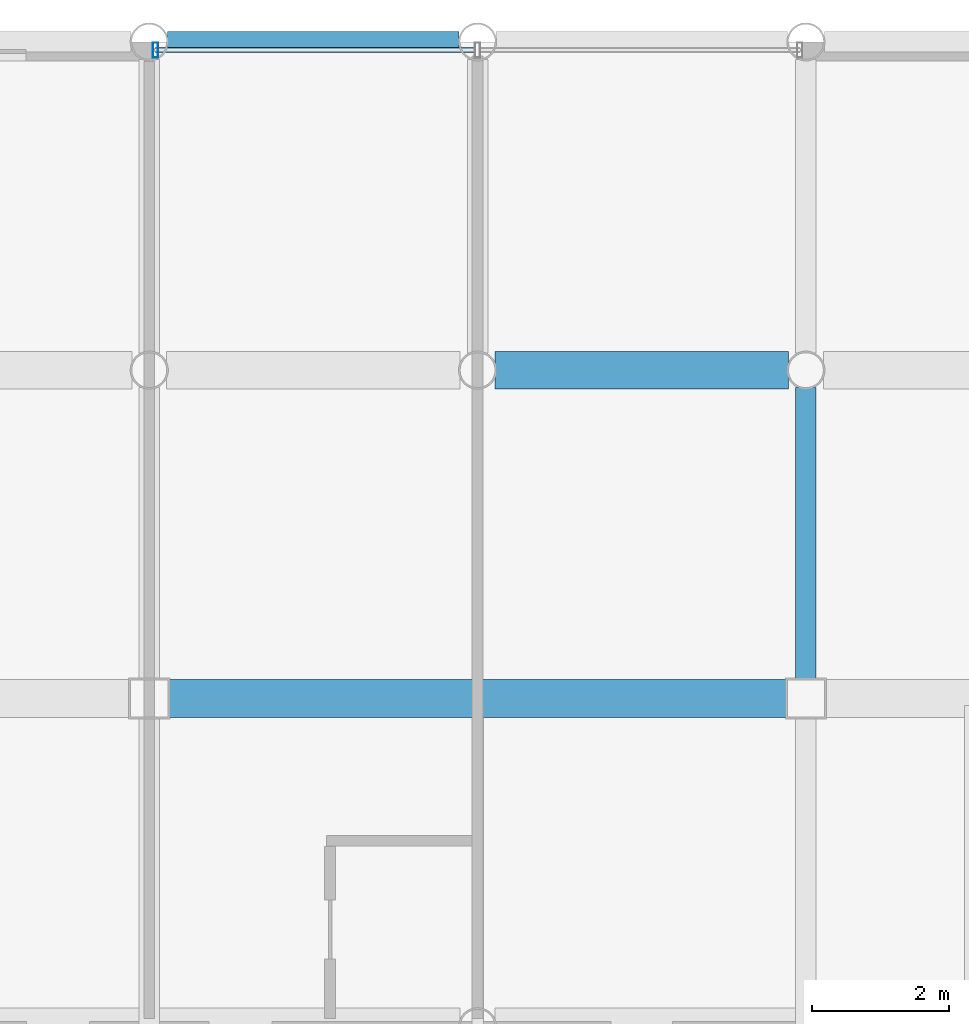
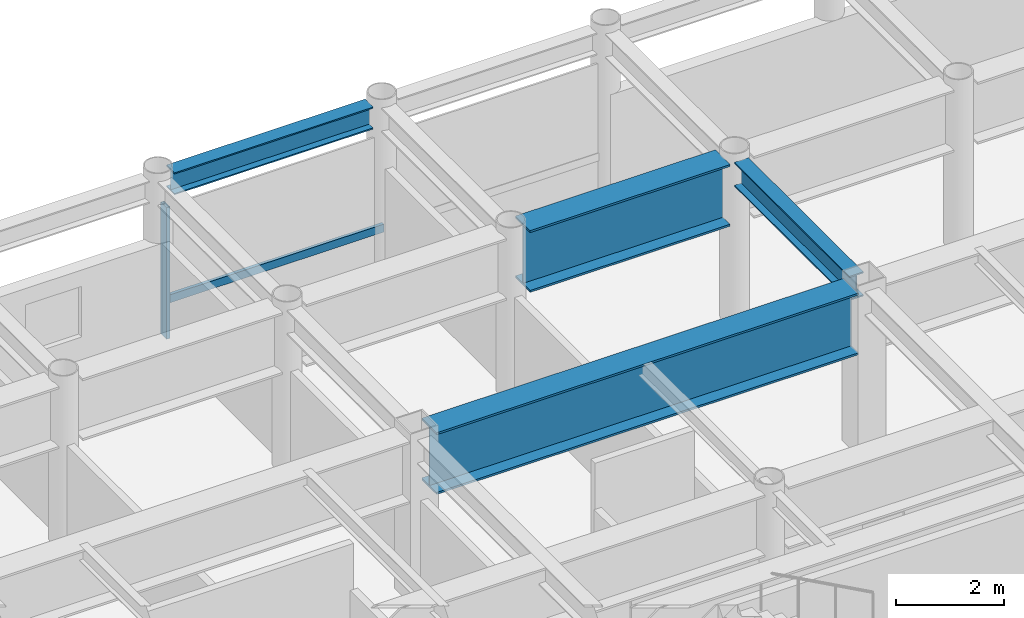
# One storey, part 14 of 25: 4 beams, 2 members, 1 element without a shape of its own.
"""IFC4 building model written with IfcOpenShell, lengths in metres."""

from ifc_helpers import new_model, si_unit, direction, frame, origin, origin_2d, place, context, subcontext, project, spatial, hollow_rectangle, i_section, extrude, material, layer, layer_set, material_profile, profile_set, type_object, element, aggregate, save


model = new_model("IFC4")

# Units and contexts
model_context = context("Model", 3, precision=1e-05, world=origin(), true_north=direction((0.0, 1.0)))
body_context = subcontext(model_context, "Body", "Model", "MODEL_VIEW")
ifc_project = project(units=[si_unit("LENGTHUNIT", "METRE"), si_unit("AREAUNIT", "SQUARE_METRE"), si_unit("VOLUMEUNIT", "CUBIC_METRE"), si_unit("PLANEANGLEUNIT", "RADIAN"), si_unit("MASSUNIT", "GRAM", prefix="KILO")], contexts=[model_context])

# Site, building, storey
site_placement = place(None, origin())
site = spatial("IfcSite", under=ifc_project, at=site_placement, CompositionType="ELEMENT")
building_placement = place(site_placement, origin())
building = spatial("IfcBuilding", under=site, at=building_placement, Name="Kallvorn Hotel Tower", CompositionType="ELEMENT")
storey_placement = place(building_placement, frame((0.0, 0.0, 249.25)))
storey = spatial("IfcBuildingStorey", under=building, at=storey_placement, Name="L62", CompositionType="ELEMENT", Elevation=249.25)

# Beams
ifc_material_1 = material(Name="Structural steel S355JR", Category="steel")
ifc_material_profile_1 = material_profile(ifc_material_1, i_section(OverallWidth=0.300048828125, OverallDepth=0.5, WebThickness=0.014404296875, FlangeThickness=0.028076171875, at=origin_2d()), Name="HE 500 B")
ifc_profile_set_1 = profile_set([ifc_material_profile_1], Name="Structural steel S355JR")
beam_type_1 = type_object("IfcBeamType", Name="BM_HE500B", PredefinedType="SPANDREL", material=ifc_profile_set_1)
beam_1_placement = place(storey_placement, frame((-4.530517578125, 24.0, 3.419921875), z_axis=(1.0, 0.0, 0.0), x_axis=(0.0, 1.0, 0.0)))
element("IfcBeam", 1, at=beam_1_placement, inside=storey, type_object=beam_type_1, Name="L63 Perimeter Spandrel 168", PredefinedType="SPANDREL", context=body_context, shape_type="SweptSolid", body=[
    extrude(i_section(OverallWidth=0.300048828125, OverallDepth=0.5, WebThickness=0.014404296875, FlangeThickness=0.028076171875, at=origin_2d()), origin(), (0.0, 0.0, 1.0), 4.260986328125),
])
ifc_material_2 = material(Name="Structural steel S355JR", Category="steel")
ifc_material_profile_2 = material_profile(ifc_material_2, i_section(OverallWidth=0.300048828125, OverallDepth=0.550048828125, WebThickness=0.014892578125, FlangeThickness=0.029052734375, at=origin_2d()), Name="HE 550 B")
ifc_profile_set_2 = profile_set([ifc_material_profile_2], Name="Structural steel S355JR")
beam_type_2 = type_object("IfcBeamType", Name="BM_HE550B", PredefinedType="SPANDREL", material=ifc_profile_set_2)
beam_2_placement = place(storey_placement, frame((4.800048828125, 14.675048828125, 3.39501953125), z_axis=(0.0, 1.0, 0.0), x_axis=(-1.0, 0.0, 0.0)))
element("IfcBeam", 2, at=beam_2_placement, inside=storey, type_object=beam_type_2, Name="L63 Primary Y-Girder 117", PredefinedType="SPANDREL", context=body_context, shape_type="SweptSolid", body=[
    extrude(i_section(OverallWidth=0.300048828125, OverallDepth=0.550048828125, WebThickness=0.014892578125, FlangeThickness=0.029052734375, at=origin_2d()), origin(), (0.0, 0.0, 1.0), 4.2705078125),
])
ifc_material_3 = material(Name="Structural steel S355JR", Category="steel")
ifc_material_profile_3 = material_profile(ifc_material_3, i_section(OverallWidth=0.550048828125, OverallDepth=1.39990234375, WebThickness=0.02490234375, FlangeThickness=0.044921875, at=origin_2d()), Name="PG 1400x550x25x45")
ifc_profile_set_3 = profile_set([ifc_material_profile_3], Name="Structural steel S355JR")
beam_type_3 = type_object("IfcBeamType", Name="BM_PG_1400", PredefinedType="BEAM", material=ifc_profile_set_3)
beam_3_placement = place(storey_placement, frame((-4.52490234375, 14.39990234375, 2.969970703125), z_axis=(1.0, 0.0, 0.0), x_axis=(0.0, 1.0, 0.0)))
element("IfcBeam", 3, at=beam_3_placement, inside=storey, type_object=beam_type_3, Name="L63 Primary X-Girder 55", PredefinedType="BEAM", context=body_context, shape_type="SweptSolid", body=[
    extrude(i_section(OverallWidth=0.550048828125, OverallDepth=1.39990234375, WebThickness=0.02490234375, FlangeThickness=0.044921875, at=origin_2d()), origin(), (0.0, 0.0, 1.0), 9.0498046875),
])
beam_4_placement = place(storey_placement, frame((0.25439453125, 19.199951171875, 2.969970703125), z_axis=(1.0, 0.0, 0.0), x_axis=(0.0, 1.0, 0.0)))
element("IfcBeam", 4, at=beam_4_placement, inside=storey, type_object=beam_type_3, Name="L63 Primary X-Girder 67", PredefinedType="BEAM", context=body_context, shape_type="SweptSolid", body=[
    extrude(i_section(OverallWidth=0.550048828125, OverallDepth=1.39990234375, WebThickness=0.02490234375, FlangeThickness=0.044921875, at=origin_2d()), origin(), (0.0, 0.0, 1.0), 4.291015625),
])

# Curtain wall, members
ifc_material_4 = material(Name="Thermally broken black-anodised aluminium AA 6063-T6", Category="aluminium")
ifc_layer = layer(ifc_material_4, 0.22998046875)
ifc_layer_set = layer_set([ifc_layer], Name="CW_SYS_5_HOTEL_HIGH")
curtain_wall_type = type_object("IfcCurtainWallType", Name="CW_SYS_5_HOTEL_HIGH", PredefinedType="USERDEFINED", material=ifc_layer_set)
curtain_wall_placement = place(storey_placement, origin())
curtain_wall = element("IfcCurtainWall", 5, at=curtain_wall_placement, inside=storey, type_object=curtain_wall_type, Name="L62 Dark-Glass Curtain Wall CW-L62-NC", ObjectType="UNITISED CURTAIN WALL", PredefinedType="USERDEFINED")
ifc_material_5 = material(Name="Thermally broken black-anodised aluminium AA 6063-T6", Category="aluminium")
ifc_material_profile_4 = material_profile(ifc_material_5, hollow_rectangle(XDim=0.080078125, YDim=0.219970703125, WallThickness=0.0048828125, at=origin_2d()), Name="MUL 220x80")
ifc_profile_set_4 = profile_set([ifc_material_profile_4], Name="Thermally broken black-anodised aluminium AA 6063-T6")
member_type_1 = type_object("IfcMemberType", Name="CW_MULLION_220x80", PredefinedType="MULLION", material=ifc_profile_set_4)
member_1_placement = place(storey_placement, frame((-4.7099609375, 23.8798828125, 0.02001953125), z_axis=(0.0, 0.0, 1.0), x_axis=(1.0, 0.0, 0.0)))
member_1 = element("IfcMember", 6, at=member_1_placement, type_object=member_type_1, Name="CW-L62-NC Mullion 00", PredefinedType="MULLION", context=body_context, shape_type="SweptSolid", body=[
    extrude(hollow_rectangle(XDim=0.080078125, YDim=0.219970703125, WallThickness=0.0048828125, at=origin_2d()), origin(), (0.0, 0.0, 1.0), 2.97998046875),
])
ifc_material_6 = material(Name="Thermally broken black-anodised aluminium AA 6063-T6", Category="aluminium")
ifc_material_profile_5 = material_profile(ifc_material_6, hollow_rectangle(XDim=0.070068359375, YDim=0.179931640625, WallThickness=0.00390625, at=origin_2d()), Name="TRN 180x70")
ifc_profile_set_5 = profile_set([ifc_material_profile_5], Name="Thermally broken black-anodised aluminium AA 6063-T6")
member_type_2 = type_object("IfcMemberType", Name="CW_TRANSOM_180x70", PredefinedType="USERDEFINED", material=ifc_profile_set_5)
member_2_placement = place(storey_placement, frame((-4.7099609375, 23.8798828125, 0.85009765625), z_axis=(1.0, 0.0, 0.0), x_axis=(0.0, 1.0, 0.0)))
member_2 = element("IfcMember", 7, at=member_2_placement, type_object=member_type_2, Name="CW-L62-NC Transom 00M", ObjectType="TRANSOM", PredefinedType="USERDEFINED", context=body_context, shape_type="SweptSolid", body=[
    extrude(hollow_rectangle(XDim=0.070068359375, YDim=0.179931640625, WallThickness=0.00390625, at=origin_2d()), origin(), (0.0, 0.0, 1.0), 4.669921875),
])
aggregate(curtain_wall, [member_1, member_2])

save(model, "model.ifc")
